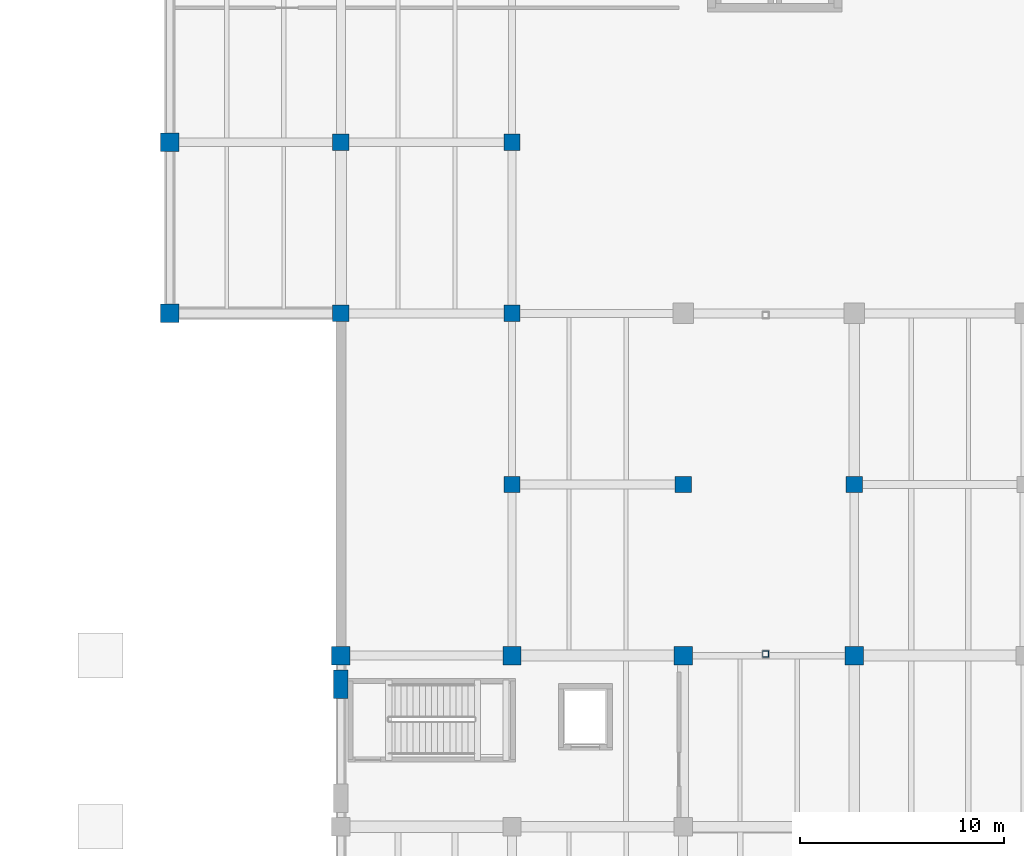
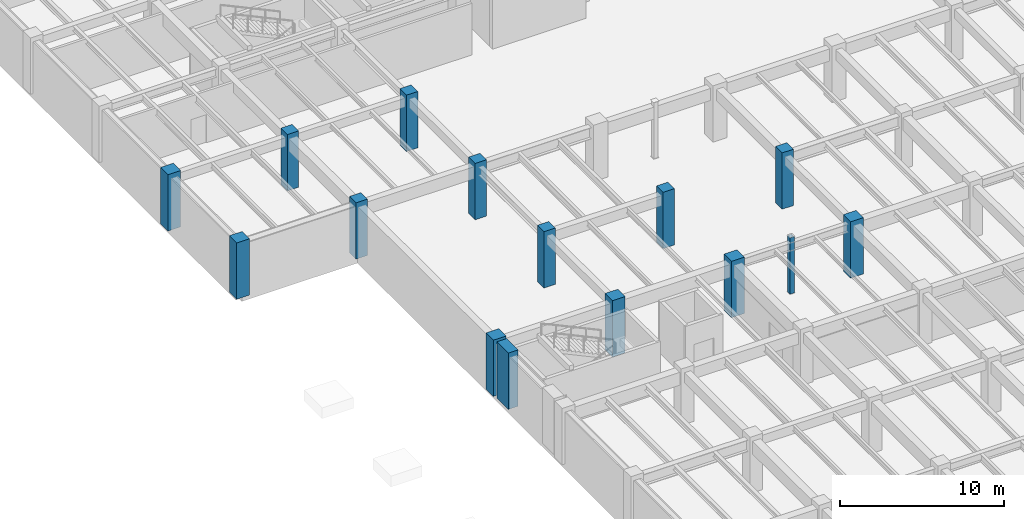
# One storey, part 7 of 63: 15 columns.
"""IFC4 building model written with IfcOpenShell, lengths in metres."""

from ifc_helpers import new_model, si_unit, direction, frame, origin, origin_2d, place, context, subcontext, project, spatial, rectangle, hollow_rectangle, extrude, material, material_profile, profile_set, type_object, element, save


model = new_model("IFC4")

# Units and contexts
model_context = context("Model", 3, precision=1e-05, world=origin(), true_north=direction((0.0, 1.0)))
body_context = subcontext(model_context, "Body", "Model", "MODEL_VIEW")
ifc_project = project(units=[si_unit("LENGTHUNIT", "METRE"), si_unit("AREAUNIT", "SQUARE_METRE"), si_unit("VOLUMEUNIT", "CUBIC_METRE"), si_unit("PLANEANGLEUNIT", "RADIAN"), si_unit("MASSUNIT", "GRAM", prefix="KILO")], contexts=[model_context])

# Site, building, storey
site_placement = place(None, origin())
site = spatial("IfcSite", under=ifc_project, at=site_placement, CompositionType="ELEMENT")
building_placement = place(site_placement, origin())
building = spatial("IfcBuilding", under=site, at=building_placement, Name="Cumbredor Promenade Congress Hotel", CompositionType="ELEMENT")
storey_placement = place(building_placement, frame((0.0, 0.0, -4.199951171875)))
storey = spatial("IfcBuildingStorey", under=building, at=storey_placement, Name="B01", CompositionType="ELEMENT", Elevation=-4.199951171875)

# Columns
ifc_material_1 = material(Name="Concrete C50/60", Category="concrete")
ifc_material_profile_1 = material_profile(ifc_material_1, rectangle(XDim=0.800048828125, YDim=0.800048828125, at=origin_2d()), Name="RC 800x800")
ifc_profile_set_1 = profile_set([ifc_material_profile_1], Name="Concrete C50/60")
column_type_1 = type_object("IfcColumnType", Name="COL-RC-800", PredefinedType="COLUMN", material=ifc_profile_set_1)
for number, where, z_axis, x_axis, name in (
    (1, (8.39990234375, 84.0, 0.0), (0.0, 0.0, 1.0), (1.0, 0.0, 0.0), "B01 Structural Column 014"),
    (2, (8.39990234375, 92.39990234375, 0.0), (0.0, 0.0, 1.0), (1.0, 0.0, 0.0), "B01 Structural Column 015"),
    (3, (16.800048828125, 75.60009765625, 0.0), (0.0, 0.0, 1.0), (1.0, 0.0, 0.0), "B01 Structural Column 027"),
    (4, (16.800048828125, 84.0, 0.0), (0.0, 0.0, 1.0), (1.0, 0.0, 0.0), "B01 Structural Column 028"),
    (5, (16.800048828125, 92.39990234375, 0.0), (0.0, 0.0, 1.0), (1.0, 0.0, 0.0), "B01 Structural Column 029"),
    (6, (25.199951171875, 75.60009765625, 0.0), (0.0, 0.0, 1.0), (1.0, 0.0, 0.0), "B01 Structural Column 041"),
    (7, (33.60009765625, 75.60009765625, 0.0), (0.0, 0.0, 1.0), (1.0, 0.0, 0.0), "B01 Structural Column 054"),
):
    element("IfcColumn", number, at=place(storey_placement, frame(where, z_axis=z_axis, x_axis=x_axis)), inside=storey, type_object=column_type_1, Name=name, PredefinedType="COLUMN", context=body_context, shape_type="SweptSolid", body=[
        extrude(rectangle(XDim=0.800048828125, YDim=0.800048828125, at=origin_2d()), origin(), (0.0, 0.0, 1.0), 4.199951171875),
    ])
ifc_material_profile_2 = material_profile(ifc_material_1, rectangle(XDim=0.89990234375, YDim=0.89990234375, at=origin_2d()), Name="RC 900x900")
ifc_profile_set_2 = profile_set([ifc_material_profile_2], Name="Concrete C50/60")
column_type_2 = type_object("IfcColumnType", Name="COL-RC-900", PredefinedType="COLUMN", material=ifc_profile_set_2)
for number, where, z_axis, x_axis, name in (
    (8, (0.0, 84.0, 0.0), (0.0, 0.0, 1.0), (1.0, 0.0, 0.0), "B01 Structural Column 001"),
    (9, (0.0, 92.39990234375, 0.0), (0.0, 0.0, 1.0), (1.0, 0.0, 0.0), "B01 Structural Column 002"),
    (10, (8.39990234375, 67.199951171875, 0.0), (0.0, 0.0, 1.0), (1.0, 0.0, 0.0), "B01 Structural Column 013"),
    (11, (16.800048828125, 67.199951171875, 0.0), (0.0, 0.0, 1.0), (1.0, 0.0, 0.0), "B01 Structural Column 026"),
    (12, (25.199951171875, 67.199951171875, 0.0), (0.0, 0.0, 1.0), (1.0, 0.0, 0.0), "B01 Structural Column 040"),
    (13, (33.60009765625, 67.199951171875, 0.0), (0.0, 0.0, 1.0), (1.0, 0.0, 0.0), "B01 Structural Column 053"),
):
    element("IfcColumn", number, at=place(storey_placement, frame(where, z_axis=z_axis, x_axis=x_axis)), inside=storey, type_object=column_type_2, Name=name, PredefinedType="COLUMN", context=body_context, shape_type="SweptSolid", body=[
        extrude(rectangle(XDim=0.89990234375, YDim=0.89990234375, at=origin_2d()), origin(), (0.0, 0.0, 1.0), 4.199951171875),
    ])
ifc_material_2 = material(Name="Steel ASTM A500 Grade C", Category="steel")
ifc_material_profile_3 = material_profile(ifc_material_2, hollow_rectangle(XDim=0.300048828125, YDim=0.300048828125, WallThickness=0.01611328125, at=origin_2d()), Name="HSS 300x300x16")
ifc_profile_set_3 = profile_set([ifc_material_profile_3], Name="Steel ASTM A500 Grade C")
column_type_3 = type_object("IfcColumnType", Name="COL-STL-HSS300", PredefinedType="COLUMN", material=ifc_profile_set_3)
column_1_placement = place(storey_placement, frame((29.25, 67.280029296875, 0.0), z_axis=(0.0, 0.0, 1.0), x_axis=(1.0, 0.0, 0.0)))
element("IfcColumn", 14, at=column_1_placement, inside=storey, type_object=column_type_3, Name="West Congress-to-Hotel Glazed Bridge B01 Substructure Pier 2", PredefinedType="COLUMN", context=body_context, shape_type="SweptSolid", body=[
    extrude(hollow_rectangle(XDim=0.300048828125, YDim=0.300048828125, WallThickness=0.01611328125, at=origin_2d()), origin(), (0.0, 0.0, 1.0), 4.199951171875),
])
ifc_material_profile_4 = material_profile(ifc_material_1, rectangle(XDim=0.699951171875, YDim=1.39990234375, at=origin_2d()), Name="RC PILASTER 1400x700")
ifc_profile_set_4 = profile_set([ifc_material_profile_4], Name="Concrete C50/60")
column_type_4 = type_object("IfcColumnType", Name="PIL-RC-1400x700", PredefinedType="PILASTER", material=ifc_profile_set_4)
column_2_placement = place(storey_placement, frame((8.39990234375, 65.800048828125, 0.0), z_axis=(0.0, 0.0, 1.0), x_axis=(1.0, 0.0, 0.0)))
element("IfcColumn", 15, at=column_2_placement, inside=storey, type_object=column_type_4, Name="B01 Acoustic Seismic Pilaster 012", PredefinedType="PILASTER", context=body_context, shape_type="SweptSolid", body=[
    extrude(rectangle(XDim=0.699951171875, YDim=1.39990234375, at=origin_2d()), origin(), (0.0, 0.0, 1.0), 4.199951171875),
])

save(model, "model.ifc")
